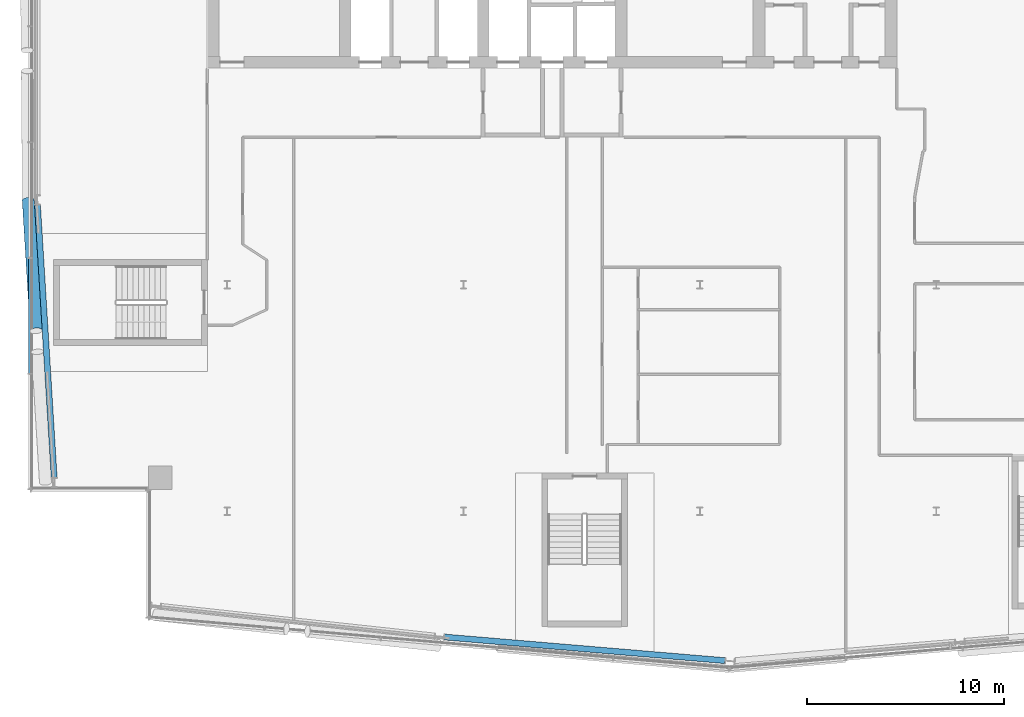
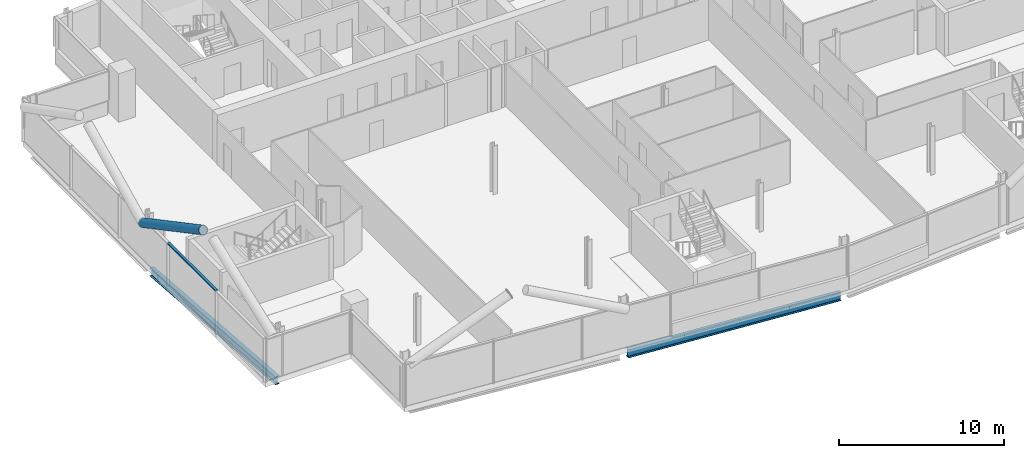
# One storey, part 6 of 25: 2 beams, 2 members, 1 element without a shape of its own.
"""IFC4 building model written with IfcOpenShell, lengths in metres."""

import ifcopenshell
import ifcopenshell.guid

model = None  # the IFC model being written
_history = None  # IfcOwnerHistory: only IFC2X3 demands one
_inside = {}  # id of a spatial element -> (the spatial element, [elements in it])
_under = {}  # id of a project, library or spatial element -> (it, [spatial elements below it])
_declared = {}  # id of a project -> (the project, [libraries it declares])
_typed = {}  # id of a type object -> (the type object, [elements of that type])
_made_of = {}  # id of a material, layer set ... -> (it, [elements and type objects made of it])


def new_model(schema):
    """Start an empty IFC model of exactly this schema.

    Asked for "IFC4X3", IfcOpenShell would pick the latest addendum, in which some entities
    have other attributes; the version numbers below select the first issue.
    IFC2X3 requires an IfcOwnerHistory on every rooted entity: one is made here for all.
    """
    global model, _history
    if schema == "IFC4X3":
        model = ifcopenshell.file(schema_version=(4, 3, 0, 0))
    else:
        model = ifcopenshell.file(schema=schema)
    _inside.clear()
    _under.clear()
    _declared.clear()
    _typed.clear()
    _made_of.clear()
    _history = None
    if model.schema == "IFC2X3":
        org = make("IfcOrganization", Name="unknown")
        user = make(
            "IfcPersonAndOrganization",
            ThePerson=make("IfcPerson", FamilyName="unknown"),
            TheOrganization=org,
        )
        app = make(
            "IfcApplication",
            ApplicationDeveloper=org,
            Version="unknown",
            ApplicationFullName="unknown",
            ApplicationIdentifier="unknown",
        )
        _history = make(
            "IfcOwnerHistory",
            OwningUser=user,
            OwningApplication=app,
            ChangeAction="ADDED",
            CreationDate=0,
        )
    return model


def make(cls, **values):
    """One entity of the class cls with the attributes given. An attribute that is None is left unset."""
    return model.create_entity(
        cls, **{name: value for name, value in values.items() if value is not None}
    )


def rooted(cls, **values):
    """An entity with a GlobalId (a new one), such as an element, a storey or a relation."""
    return make(cls, GlobalId=ifcopenshell.guid.new(), OwnerHistory=_history, **values)


def si_unit(unit_type, name, prefix=None):
    """IfcSIUnit, for example si_unit("LENGTHUNIT", "METRE", prefix="MILLI")."""
    return make("IfcSIUnit", UnitType=unit_type, Prefix=prefix, Name=name)


def assignment(units):
    """IfcUnitAssignment: the units of a project."""
    return None if units is None else make("IfcUnitAssignment", Units=units)


def point(xyz):
    """IfcCartesianPoint."""
    return None if xyz is None else make("IfcCartesianPoint", Coordinates=xyz)


def direction(xyz):
    """IfcDirection."""
    return None if xyz is None else make("IfcDirection", DirectionRatios=xyz)


def frame(location, z_axis=None, x_axis=None):
    """IfcAxis2Placement3D, a coordinate frame: its origin and axes. An axis left out is left unset."""
    return make(
        "IfcAxis2Placement3D",
        Location=point(location),
        Axis=direction(z_axis),
        RefDirection=direction(x_axis),
    )


def frame_2d(location, x_axis=None):
    """IfcAxis2Placement2D, a coordinate frame in the plane: its origin and x axis."""
    return make(
        "IfcAxis2Placement2D", Location=point(location), RefDirection=direction(x_axis)
    )


def origin():
    """The frame at (0, 0, 0) with its axes left unset."""
    return frame((0.0, 0.0, 0.0))


def origin_2d():
    """The frame at (0, 0) in the plane with its x axis left unset."""
    return frame_2d((0.0, 0.0))


def place(relative_to, where):
    """IfcLocalPlacement: puts the frame where relative to a parent placement (None: the world)."""
    return make(
        "IfcLocalPlacement", PlacementRelTo=relative_to, RelativePlacement=where
    )


def context(
    kind, dimensions, precision=None, world=None, true_north=None, identifier=None
):
    """IfcGeometricRepresentationContext, for example the 3D "Model" context."""
    return make(
        "IfcGeometricRepresentationContext",
        ContextIdentifier=identifier,
        ContextType=kind,
        CoordinateSpaceDimension=dimensions,
        Precision=precision,
        WorldCoordinateSystem=world,
        TrueNorth=true_north,
    )


def subcontext(parent, identifier, kind, view, scale=None):
    """IfcGeometricRepresentationSubContext, for example "Body" below "Model"."""
    return make(
        "IfcGeometricRepresentationSubContext",
        ContextIdentifier=identifier,
        ContextType=kind,
        ParentContext=parent,
        TargetScale=scale,
        TargetView=view,
    )


def project(units=None, contexts=None):
    """IfcProject with its units and contexts."""
    return rooted(
        "IfcProject",
        Name="project",
        RepresentationContexts=contexts,
        UnitsInContext=assignment(units),
    )


def spatial(cls, under=None, at=None, **own):
    """A site, building, storey or space (cls), placed at a placement, below another one or the project."""
    s = rooted(cls, ObjectPlacement=at, **own)
    if under is not None:
        _under.setdefault(under.id(), (under, []))[1].append(s)
    return s


def profile(cls, at=None, kind="AREA", **sizes):
    """A parametric profile (cls). Its sizes go by their IFC names, for example OverallWidth=200.0."""
    return make(cls, ProfileType=kind, Position=at, **sizes)


def rectangle(**sizes):
    """IfcRectangleProfileDef."""
    return profile("IfcRectangleProfileDef", **sizes)


def hollow_circle(**sizes):
    """IfcCircleHollowProfileDef."""
    return profile("IfcCircleHollowProfileDef", **sizes)


def i_section(**sizes):
    """IfcIShapeProfileDef."""
    return profile("IfcIShapeProfileDef", **sizes)


def extrude(swept, where, along, depth):
    """IfcExtrudedAreaSolid: the profile swept, set in the frame where, extruded along a direction by depth."""
    return make(
        "IfcExtrudedAreaSolid",
        SweptArea=swept,
        Position=where,
        ExtrudedDirection=direction(along),
        Depth=depth,
    )


def shape(context_of_items, identifier, shape_type, items):
    """IfcShapeRepresentation: the items that make up one representation, for example the "Body"."""
    return make(
        "IfcShapeRepresentation",
        ContextOfItems=context_of_items,
        RepresentationIdentifier=identifier,
        RepresentationType=shape_type,
        Items=items,
    )


def material(Name=None, Category=None):
    """IfcMaterial."""
    return make("IfcMaterial", Name=Name, Category=Category)


def material_profile(
    of_material, cross_section, Name=None, Category=None, Priority=None
):
    """IfcMaterialProfile: a cross section and its material."""
    return make(
        "IfcMaterialProfile",
        Name=Name,
        Material=of_material,
        Profile=cross_section,
        Priority=Priority,
        Category=Category,
    )


def profile_set(profiles, Name=None, composite=None):
    """IfcMaterialProfileSet."""
    return make(
        "IfcMaterialProfileSet",
        Name=Name,
        MaterialProfiles=profiles,
        CompositeProfile=composite,
    )


def made_of(thing, what):
    """Note that an element or type object is made of a material, layer set ...; save() writes the relation."""
    if what is not None:
        _made_of.setdefault(what.id(), (what, []))[1].append(thing)
    return thing


def type_object(cls, material=None, **own):
    """A type object (cls), such as IfcWallType, which elements share."""
    return made_of(rooted(cls, **own), material)


def element(
    cls,
    number,
    at=None,
    inside=None,
    cuts=None,
    type_object=None,
    material=None,
    context=None,
    identifier="Body",
    shape_type=None,
    held_by="IfcProductDefinitionShape",
    body=None,
    shapes=None,
    **own,
):
    """One element of the class cls, such as IfcWall. Its Tag is "e" and its number.

    at: its placement. inside: the storey or other place that contains it. cuts: it is an
    opening in that element (IfcRelVoidsElement). A single representation is given by context,
    identifier, shape_type and body (its items); several are given by shapes. held_by: the class
    of the entity that holds the representations. save() writes the other relations.
    """
    e = rooted(cls, Tag="e%d" % number, ObjectPlacement=at, **own)
    if body is not None:
        shapes = [shape(context, identifier, shape_type, body)]
    if shapes is not None:
        e.Representation = make(held_by, Representations=shapes)
    if inside is not None:
        _inside.setdefault(inside.id(), (inside, []))[1].append(e)
    if cuts is not None:
        rooted(
            "IfcRelVoidsElement", RelatingBuildingElement=cuts, RelatedOpeningElement=e
        )
    if type_object is not None:
        _typed.setdefault(type_object.id(), (type_object, []))[1].append(e)
    return made_of(e, material)


def aggregate(whole, parts):
    """IfcRelAggregates: a whole, such as a stair, and the parts it consists of."""
    return rooted("IfcRelAggregates", RelatingObject=whole, RelatedObjects=parts)


def save(model, path):
    """Write the relations noted so far, then the file.

    IfcRelAggregates (storeys below a building ...), IfcRelContainedInSpatialStructure (elements
    in a storey), IfcRelDefinesByType, IfcRelAssociatesMaterial and IfcRelDeclares: one each for
    every whole, place, type object, material and project.
    """
    for whole, parts in _under.values():
        aggregate(whole, parts)
    for where, things in _inside.values():
        rooted(
            "IfcRelContainedInSpatialStructure",
            RelatedElements=things,
            RelatingStructure=where,
        )
    for kind, things in _typed.values():
        rooted("IfcRelDefinesByType", RelatedObjects=things, RelatingType=kind)
    for what, things in _made_of.values():
        rooted("IfcRelAssociatesMaterial", RelatedObjects=things, RelatingMaterial=what)
    for by, libraries in _declared.values():
        rooted("IfcRelDeclares", RelatingContext=by, RelatedDefinitions=libraries)
    model.write(path)


model = new_model("IFC4")

# Units and contexts
model_context = context("Model", 3, precision=1e-05, world=origin(), true_north=direction((0.0, 1.0)))
body_context = subcontext(model_context, "Body", "Model", "MODEL_VIEW")
ifc_project = project(units=[si_unit("LENGTHUNIT", "METRE"), si_unit("AREAUNIT", "SQUARE_METRE"), si_unit("VOLUMEUNIT", "CUBIC_METRE"), si_unit("PLANEANGLEUNIT", "RADIAN"), si_unit("MASSUNIT", "GRAM", prefix="KILO")], contexts=[model_context])

# Site, building, storey
site_placement = place(None, origin())
site = spatial("IfcSite", under=ifc_project, at=site_placement, CompositionType="ELEMENT")
building_placement = place(site_placement, origin())
building = spatial("IfcBuilding", under=site, at=building_placement, Name="Wharfspan Tower", CompositionType="ELEMENT")
storey_placement = place(building_placement, frame((0.0, 0.0, 239.5)))
storey = spatial("IfcBuildingStorey", under=building, at=storey_placement, Name="L60", CompositionType="ELEMENT", Elevation=239.5)

# Beams
ifc_material_1 = material(Name="Steel S355J2", Category="steel")
ifc_material_profile_1 = material_profile(ifc_material_1, i_section(OverallWidth=0.300049, OverallDepth=0.600098, WebThickness=0.015381, FlangeThickness=0.030029, FilletRadius=0.0271, at=origin_2d()))
ifc_profile_set_1 = profile_set([ifc_material_profile_1], Name="Steel S355J2")
beam_type = type_object("IfcBeamType", Name="Edge beam HEB 600", PredefinedType="SPANDREL", material=ifc_profile_set_1)
beam_1_placement = place(storey_placement, frame((35.038574, 5.121582, -0.699951), z_axis=(0.996473, -0.083909, 0.0), x_axis=(0.083909, 0.996473, 0.0)))
element("IfcBeam", 1, at=beam_1_placement, inside=storey, type_object=beam_type, Name="Edge beam S1 L60 PS1.2 to PS1.3", PredefinedType="SPANDREL", context=body_context, shape_type="SweptSolid", body=[
    extrude(i_section(OverallWidth=0.300049, OverallDepth=0.600098, WebThickness=0.015381, FlangeThickness=0.030029, FilletRadius=0.0271, at=origin_2d()), origin(), (0.0, 0.0, 1.0), 14.277344),
])
beam_2_placement = place(storey_placement, frame((14.375732, 27.041992, -0.699951), z_axis=(0.061113, -0.998131, 0.0), x_axis=(0.998131, 0.061113, 0.0)))
element("IfcBeam", 2, at=beam_2_placement, inside=storey, type_object=beam_type, Name="Edge beam L60 PW.1 to PW.2", PredefinedType="SPANDREL", context=body_context, shape_type="SweptSolid", body=[
    extrude(i_section(OverallWidth=0.300049, OverallDepth=0.600098, WebThickness=0.015381, FlangeThickness=0.030029, FilletRadius=0.0271, at=origin_2d()), origin(), (0.0, 0.0, 1.0), 13.846436),
])

# Member
ifc_material_2 = material(Name="Steel S460NH", Category="steel")
ifc_material_profile_2 = material_profile(ifc_material_2, hollow_circle(Radius=0.304932, WallThickness=0.024902, at=origin_2d()))
ifc_profile_set_2 = profile_set([ifc_material_profile_2], Name="Steel S460NH")
member_type_1 = type_object("IfcMemberType", Name="Mega brace CHS 610x25", PredefinedType="BRACE", material=ifc_profile_set_2)
member_1_placement = place(storey_placement, frame((13.905029, 27.300049, 2.899902), z_axis=(0.054615, -0.892302, 0.448123), x_axis=(0.998132, 0.061091, -3e-06)))
element("IfcMember", 3, at=member_1_placement, inside=storey, type_object=member_type_1, Name="Mega brace W4 L61 part 1", PredefinedType="BRACE", context=body_context, shape_type="SweptSolid", body=[
    extrude(hollow_circle(Radius=0.304932, WallThickness=0.024902, at=origin_2d()), origin(), (0.0, 0.0, 1.0), 7.429443),
])

# Curtain wall, member
ifc_material_3 = material(Name="Aluminium 6063-T6", Category="aluminium")
curtain_wall_type = type_object("IfcCurtainWallType", Name="CURTAIN WALL PROW AND END", PredefinedType="NOTDEFINED", material=ifc_material_3)
curtain_wall_placement = place(storey_placement, origin())
curtain_wall = element("IfcCurtainWall", 4, at=curtain_wall_placement, inside=storey, type_object=curtain_wall_type, Name="Curtain wall W", PredefinedType="NOTDEFINED")
ifc_material_profile_3 = material_profile(ifc_material_3, rectangle(XDim=0.179932, YDim=0.080078, at=origin_2d()))
ifc_profile_set_3 = profile_set([ifc_material_profile_3], Name="Aluminium 6063-T6")
member_type_2 = type_object("IfcMemberType", Name="TRANSOM PROW AND END 80x180", PredefinedType="USERDEFINED", material=ifc_profile_set_3)
member_2_placement = place(storey_placement, frame((14.0, 24.330078, 3.159912), z_axis=(0.0, -1.0, 0.0), x_axis=(1.0, 0.0, 0.0)))
member_2 = element("IfcMember", 5, at=member_2_placement, type_object=member_type_2, Name="Curtain wall W transom 4", ObjectType="TRANSOM", PredefinedType="USERDEFINED", context=body_context, shape_type="SweptSolid", body=[
    extrude(rectangle(XDim=0.179932, YDim=0.080078, at=origin_2d()), origin(), (0.0, 0.0, 1.0), 5.820068),
])
aggregate(curtain_wall, [member_2])

save(model, "model.ifc")
